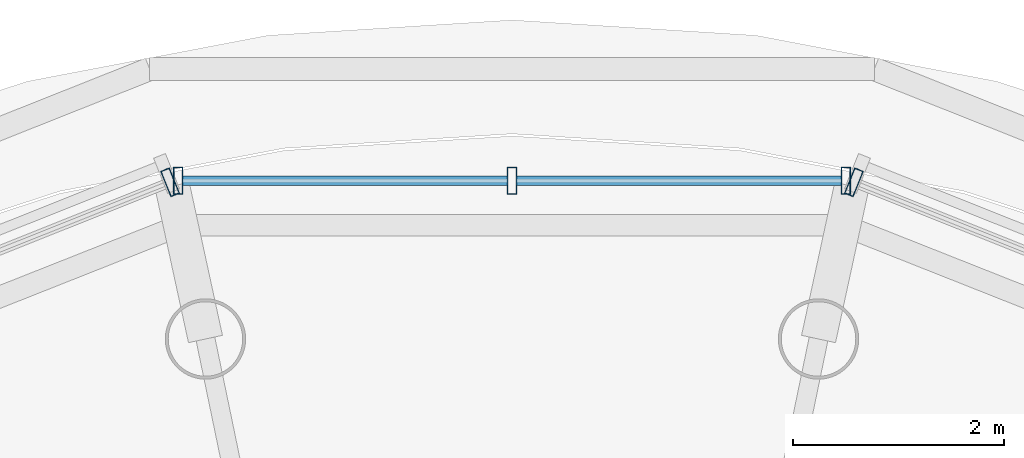
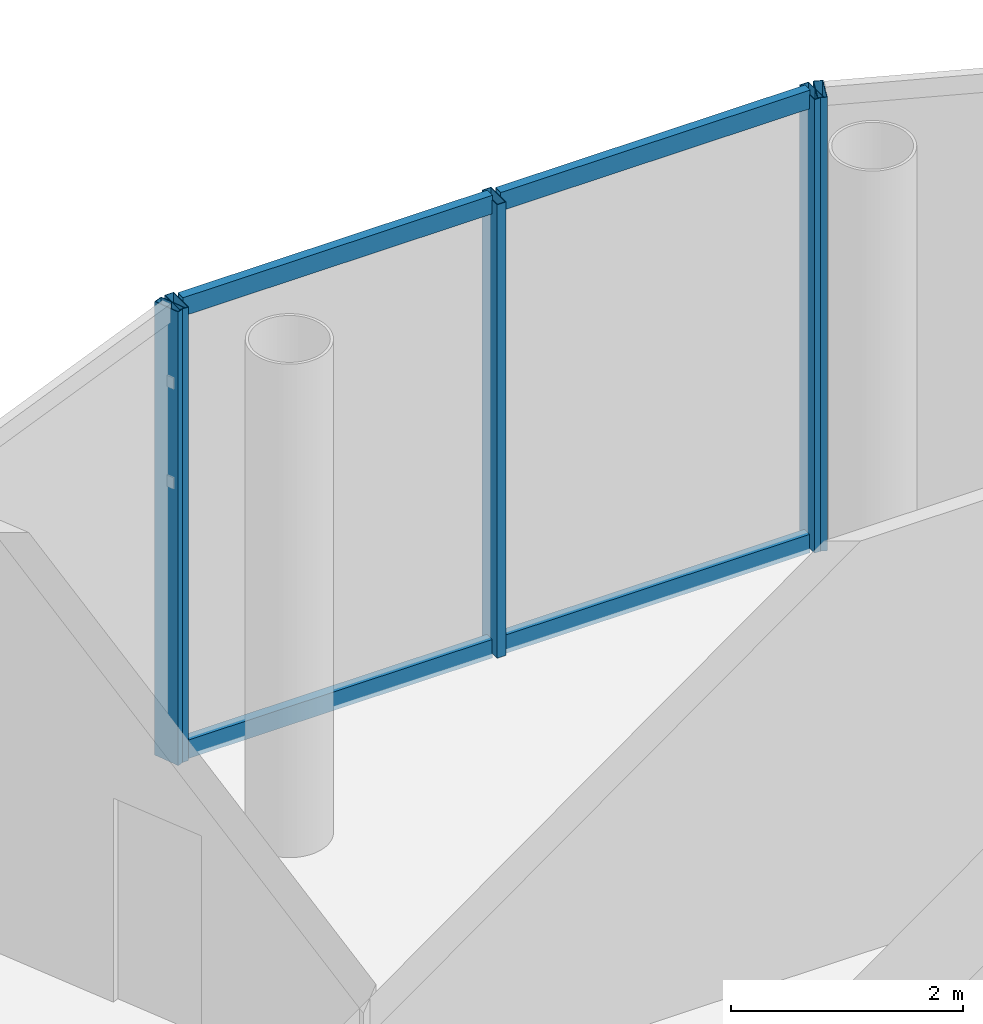
# One storey, part 8 of 14: 9 members, 3 elements without a shape of their own.
"""IFC4 building model written with IfcOpenShell, lengths in metres."""

from ifc_helpers import new_model, si_unit, direction, frame, origin, origin_2d, place, context, subcontext, project, spatial, hollow_rectangle, extrude, source, transform, mapped, material, material_profile, profile_set, type_object, element, aggregate, save


model = new_model("IFC4")

# Units and contexts
model_context = context("Model", 3, precision=1e-05, world=origin(), true_north=direction((-0.2419218956, 0.970295726276)))
body_context = subcontext(model_context, "Body", "Model", "MODEL_VIEW")
ifc_project = project(units=[si_unit("LENGTHUNIT", "METRE"), si_unit("AREAUNIT", "SQUARE_METRE"), si_unit("VOLUMEUNIT", "CUBIC_METRE"), si_unit("PLANEANGLEUNIT", "RADIAN"), si_unit("MASSUNIT", "GRAM", prefix="KILO")], contexts=[model_context])

# Site, building, storey
site_placement = place(None, origin())
site = spatial("IfcSite", under=ifc_project, at=site_placement, CompositionType="ELEMENT")
building_placement = place(site_placement, origin())
building = spatial("IfcBuilding", under=site, at=building_placement, Name="Cobrevalo Terracotta Tower", CompositionType="ELEMENT")
storey_placement = place(building_placement, frame((0.0, 0.0, 321.699951171875)))
storey = spatial("IfcBuildingStorey", under=building, at=storey_placement, Name="L83", CompositionType="ELEMENT", Elevation=321.699951171875)

# Curtain wall, member
ifc_material = material(Name="Anodized aluminium", Category="aluminium")
curtain_wall_type = type_object("IfcCurtainWallType", Name="Faceted glass-point crown structural glazing system CW-CR", PredefinedType="NOTDEFINED", material=ifc_material)
curtain_wall_1_placement = place(storey_placement, origin())
curtain_wall_1 = element("IfcCurtainWall", 1, at=curtain_wall_1_placement, inside=storey, type_object=curtain_wall_type, Name="L83 curtain wall CW-CRN-L83-S03", PredefinedType="NOTDEFINED")
ifc_material_profile_1 = material_profile(ifc_material, hollow_rectangle(XDim=0.090087890625, YDim=0.260009765625, WallThickness=0.006103515625, at=origin_2d()), Name="CWM 90x260")
ifc_profile_set_1 = profile_set([ifc_material_profile_1], Name="Anodized aluminium")
member_type_1 = type_object("IfcMemberType", Name="Crown structural glass mullion 90x260", PredefinedType="MULLION", material=ifc_profile_set_1)
shared_shape_1 = source(origin(), body_context, "Body", "SweptSolid", [
    extrude(hollow_rectangle(XDim=0.090087890625, YDim=0.260009765625, WallThickness=0.006103515625, at=origin_2d()), origin(), (0.0, 0.0, 1.0), 4.780029296875),
])
member_1_placement = place(storey_placement, frame((41.242431640625, 42.31103515625, 0.0), z_axis=(0.0, 0.0, 1.0), x_axis=(-0.928770743095, 0.370654700187, 0.0)))
member_1 = element("IfcMember", 2, at=member_1_placement, type_object=member_type_1, Name="CW-CRN-L83-S03 vertical mullion 03", PredefinedType="MULLION", context=body_context, shape_type="MappedRepresentation", body=[
    mapped(shared_shape_1, transform((0.0, 0.0, 0.0), scale=1.0)),
])
aggregate(curtain_wall_1, [member_1])

# Curtain wall, members
curtain_wall_2_placement = place(storey_placement, origin())
curtain_wall_2 = element("IfcCurtainWall", 3, at=curtain_wall_2_placement, inside=storey, type_object=curtain_wall_type, Name="L83 curtain wall CW-CRN-L83-S04", PredefinedType="NOTDEFINED")
member_2_placement = place(storey_placement, frame((41.165283203125, 42.325927734375, 0.0), z_axis=(0.0, 0.0, 1.0), x_axis=(-1.0, 0.0, 0.0)))
member_2 = element("IfcMember", 4, at=member_2_placement, type_object=member_type_1, Name="CW-CRN-L83-S04 vertical mullion 01", PredefinedType="MULLION", context=body_context, shape_type="MappedRepresentation", body=[
    mapped(shared_shape_1, transform((0.0, 0.0, 0.0), scale=1.0)),
])
member_3_placement = place(storey_placement, frame((38.0, 42.325927734375, 0.0), z_axis=(0.0, 0.0, 1.0), x_axis=(-1.0, 0.0, 0.0)))
member_3 = element("IfcMember", 5, at=member_3_placement, type_object=member_type_1, Name="CW-CRN-L83-S04 vertical mullion 02", PredefinedType="MULLION", context=body_context, shape_type="MappedRepresentation", body=[
    mapped(shared_shape_1, transform((0.0, 0.0, 0.0), scale=1.0)),
])
member_4_placement = place(storey_placement, frame((34.834716796875, 42.325927734375, 0.0), z_axis=(0.0, 0.0, 1.0), x_axis=(-1.0, 0.0, 0.0)))
member_4 = element("IfcMember", 6, at=member_4_placement, type_object=member_type_1, Name="CW-CRN-L83-S04 vertical mullion 03", PredefinedType="MULLION", context=body_context, shape_type="MappedRepresentation", body=[
    mapped(shared_shape_1, transform((0.0, 0.0, 0.0), scale=1.0)),
])

# Curtain wall, member
curtain_wall_3_placement = place(storey_placement, origin())
curtain_wall_3 = element("IfcCurtainWall", 7, at=curtain_wall_3_placement, inside=storey, type_object=curtain_wall_type, Name="L83 curtain wall CW-CRN-L83-S05", PredefinedType="NOTDEFINED")
member_5_placement = place(storey_placement, frame((34.757568359375, 42.31103515625, 0.0), z_axis=(0.0, 0.0, 1.0), x_axis=(-0.928770743095, -0.370654700187, 0.0)))
member_5 = element("IfcMember", 8, at=member_5_placement, type_object=member_type_1, Name="CW-CRN-L83-S05 vertical mullion 01", PredefinedType="MULLION", context=body_context, shape_type="MappedRepresentation", body=[
    mapped(shared_shape_1, transform((0.0, 0.0, 0.0), scale=1.0)),
])
aggregate(curtain_wall_3, [member_5])

# Member
ifc_material_profile_2 = material_profile(ifc_material, hollow_rectangle(XDim=0.090087890625, YDim=0.195068359375, WallThickness=0.005615234375, at=origin_2d()), Name="CWT 90x195")
ifc_profile_set_2 = profile_set([ifc_material_profile_2], Name="Anodized aluminium")
member_type_2 = type_object("IfcMemberType", Name="Crown structural aluminium transom 90x195", PredefinedType="USERDEFINED", material=ifc_profile_set_2)
shared_shape_2 = source(origin(), body_context, "Body", "SweptSolid", [
    extrude(hollow_rectangle(XDim=0.090087890625, YDim=0.195068359375, WallThickness=0.005615234375, at=origin_2d()), origin(), (0.0, 0.0, 1.0), 3.085205078125),
])
member_6_placement = place(storey_placement, frame((41.125244140625, 42.325927734375, 0.050048828125), z_axis=(-1.0, 0.0, 0.0), x_axis=(0.0, -1.0, 0.0)))
member_6 = element("IfcMember", 9, at=member_6_placement, type_object=member_type_2, Name="CW-CRN-L83-S04 transom B01-T1", ObjectType="TRANSOM", PredefinedType="USERDEFINED", context=body_context, shape_type="MappedRepresentation", body=[
    mapped(shared_shape_2, transform((0.0, 0.0, 0.0), scale=1.0)),
])

member_7_placement = place(storey_placement, frame((41.125244140625, 42.325927734375, 4.72998046875), z_axis=(-1.0, 0.0, 0.0), x_axis=(0.0, -1.0, 0.0)))
member_7 = element("IfcMember", 10, at=member_7_placement, type_object=member_type_2, Name="CW-CRN-L83-S04 transom B01-T2", ObjectType="TRANSOM", PredefinedType="USERDEFINED", context=body_context, shape_type="MappedRepresentation", body=[
    mapped(shared_shape_2, transform((0.0, 0.0, 0.0), scale=1.0)),
])

member_8_placement = place(storey_placement, frame((37.9599609375, 42.325927734375, 0.050048828125), z_axis=(-1.0, 0.0, 0.0), x_axis=(0.0, -1.0, 0.0)))
member_8 = element("IfcMember", 11, at=member_8_placement, type_object=member_type_2, Name="CW-CRN-L83-S04 transom B02-T1", ObjectType="TRANSOM", PredefinedType="USERDEFINED", context=body_context, shape_type="MappedRepresentation", body=[
    mapped(shared_shape_2, transform((0.0, 0.0, 0.0), scale=1.0)),
])

member_9_placement = place(storey_placement, frame((37.9599609375, 42.325927734375, 4.72998046875), z_axis=(-1.0, 0.0, 0.0), x_axis=(0.0, -1.0, 0.0)))
member_9 = element("IfcMember", 12, at=member_9_placement, type_object=member_type_2, Name="CW-CRN-L83-S04 transom B02-T2", ObjectType="TRANSOM", PredefinedType="USERDEFINED", context=body_context, shape_type="MappedRepresentation", body=[
    mapped(shared_shape_2, transform((0.0, 0.0, 0.0), scale=1.0)),
])

aggregate(curtain_wall_2, [member_2, member_3, member_4, member_6, member_7, member_8, member_9])

save(model, "model.ifc")
